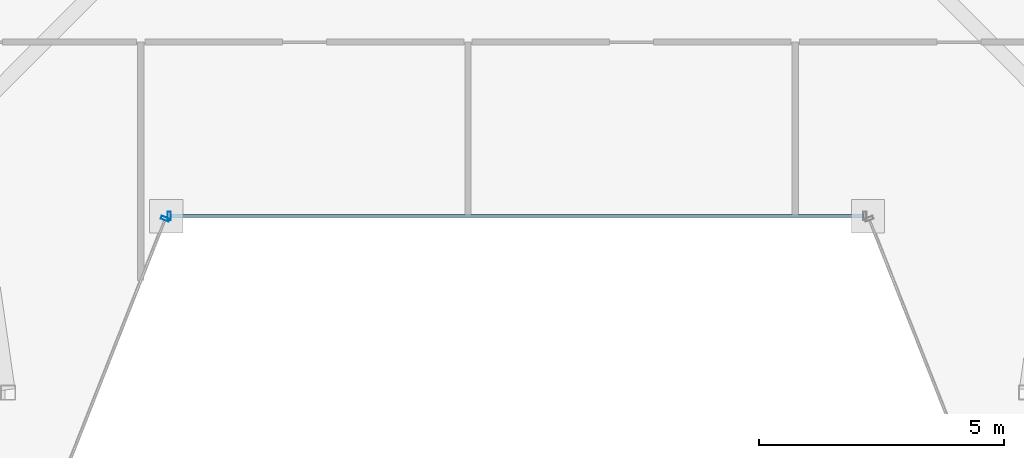
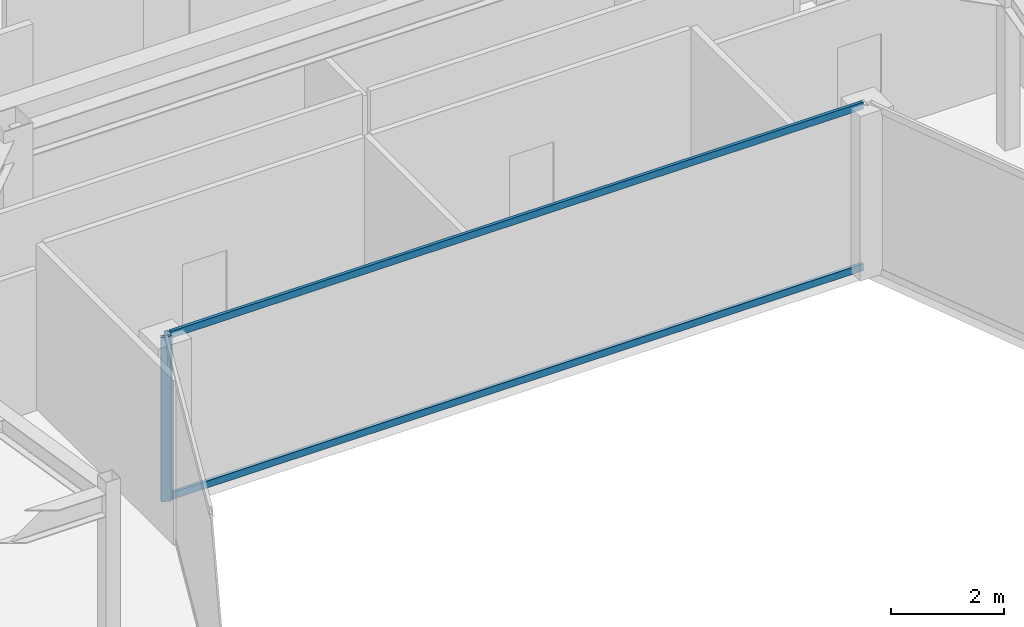
# One storey, part 6 of 23: 4 members, 2 elements without a shape of their own.
"""IFC4 building model written with IfcOpenShell, lengths in metres."""

from ifc_helpers import new_model, si_unit, direction, frame, origin, origin_2d, place, context, subcontext, project, spatial, hollow_rectangle, extrude, material, material_profile, profile_set, type_object, element, aggregate, save


model = new_model("IFC4")

# Units and contexts
model_context = context("Model", 3, precision=1e-05, world=origin(), true_north=direction((0.0, 1.0)))
body_context = subcontext(model_context, "Body", "Model", "MODEL_VIEW")
ifc_project = project(units=[si_unit("LENGTHUNIT", "METRE"), si_unit("AREAUNIT", "SQUARE_METRE"), si_unit("VOLUMEUNIT", "CUBIC_METRE"), si_unit("PLANEANGLEUNIT", "RADIAN"), si_unit("MASSUNIT", "GRAM", prefix="KILO")], contexts=[model_context])

# Site, building, storey
site_placement = place(None, origin())
site = spatial("IfcSite", under=ifc_project, at=site_placement, CompositionType="ELEMENT")
building_placement = place(site_placement, origin())
building = spatial("IfcBuilding", under=site, at=building_placement, Name="Saevonmaru Cultural Tower", CompositionType="ELEMENT")
storey_placement = place(building_placement, frame((0.0, 0.0, 280.0)))
storey = spatial("IfcBuildingStorey", under=building, at=storey_placement, Name="L66", CompositionType="ELEMENT", Elevation=280.0)

# Curtain wall, member
ifc_material = material(Name="Satin Bronze Anodised Aluminium", Category="aluminium")
curtain_wall_type = type_object("IfcCurtainWallType", Name="CW-TYP-B", PredefinedType="NOTDEFINED", material=ifc_material)
curtain_wall_1_placement = place(storey_placement, origin())
curtain_wall_1 = element("IfcCurtainWall", 1, at=curtain_wall_1_placement, inside=storey, type_object=curtain_wall_type, Name="L66 Unitised Curtain Wall E3", PredefinedType="NOTDEFINED")
ifc_material_profile_1 = material_profile(ifc_material, hollow_rectangle(XDim=0.06494140625, YDim=0.179931640625, WallThickness=0.00390625, at=origin_2d()), Name="ALU-MULL-180x65x4")
ifc_profile_set_1 = profile_set([ifc_material_profile_1], Name="Satin Bronze Anodised Aluminium")
member_type_1 = type_object("IfcMemberType", Name="ML-CW-180x65", PredefinedType="MULLION", material=ifc_profile_set_1)
member_1_placement = place(storey_placement, frame((22.822509765625, 35.544189453125, 0.0), z_axis=(0.0, 0.0, 1.0), x_axis=(0.367172185578, 0.930152990716, 0.0)))
member_1 = element("IfcMember", 2, at=member_1_placement, type_object=member_type_1, Name="CW-TW-L66-E3 mullion 2", PredefinedType="MULLION", context=body_context, shape_type="SweptSolid", body=[
    extrude(hollow_rectangle(XDim=0.06494140625, YDim=0.179931640625, WallThickness=0.00390625, at=origin_2d()), origin(), (0.0, 0.0, 1.0), 3.550048828125),
])
aggregate(curtain_wall_1, [member_1])

# Curtain wall, members
curtain_wall_2_placement = place(storey_placement, origin())
curtain_wall_2 = element("IfcCurtainWall", 3, at=curtain_wall_2_placement, inside=storey, type_object=curtain_wall_type, Name="L66 Unitised Curtain Wall E4", PredefinedType="NOTDEFINED")
member_2_placement = place(storey_placement, frame((22.904296875, 35.60009765625, 0.0), z_axis=(0.0, 0.0, 1.0), x_axis=(1.0, 0.0, 0.0)))
member_2 = element("IfcMember", 4, at=member_2_placement, type_object=member_type_1, Name="CW-TW-L66-E4 mullion 1", PredefinedType="MULLION", context=body_context, shape_type="SweptSolid", body=[
    extrude(hollow_rectangle(XDim=0.06494140625, YDim=0.179931640625, WallThickness=0.00390625, at=origin_2d()), origin(), (0.0, 0.0, 1.0), 3.550048828125),
])
ifc_material_profile_2 = material_profile(ifc_material, hollow_rectangle(XDim=0.06494140625, YDim=0.14990234375, WallThickness=0.00390625, at=origin_2d()), Name="ALU-TRAN-150x65x4")
ifc_profile_set_2 = profile_set([ifc_material_profile_2], Name="Satin Bronze Anodised Aluminium")
member_type_2 = type_object("IfcMemberType", Name="TR-CW-150x65", PredefinedType="USERDEFINED", material=ifc_profile_set_2)
member_3_placement = place(storey_placement, frame((22.93701171875, 35.60009765625, 0.032470703125), z_axis=(1.0, 0.0, 0.0), x_axis=(0.0, 1.0, 0.0)))
member_3 = element("IfcMember", 5, at=member_3_placement, type_object=member_type_2, Name="CW-TW-L66-E4 transom 1.1", ObjectType="TRANSOM", PredefinedType="USERDEFINED", context=body_context, shape_type="SweptSolid", body=[
    extrude(hollow_rectangle(XDim=0.06494140625, YDim=0.14990234375, WallThickness=0.00390625, at=origin_2d()), origin(), (0.0, 0.0, 1.0), 14.1259765625),
])
member_4_placement = place(storey_placement, frame((22.93701171875, 35.60009765625, 3.517578125), z_axis=(1.0, 0.0, 0.0), x_axis=(0.0, 1.0, 0.0)))
member_4 = element("IfcMember", 6, at=member_4_placement, type_object=member_type_2, Name="CW-TW-L66-E4 transom 1.2", ObjectType="TRANSOM", PredefinedType="USERDEFINED", context=body_context, shape_type="SweptSolid", body=[
    extrude(hollow_rectangle(XDim=0.06494140625, YDim=0.14990234375, WallThickness=0.00390625, at=origin_2d()), origin(), (0.0, 0.0, 1.0), 14.1259765625),
])
aggregate(curtain_wall_2, [member_2, member_3, member_4])

save(model, "model.ifc")
